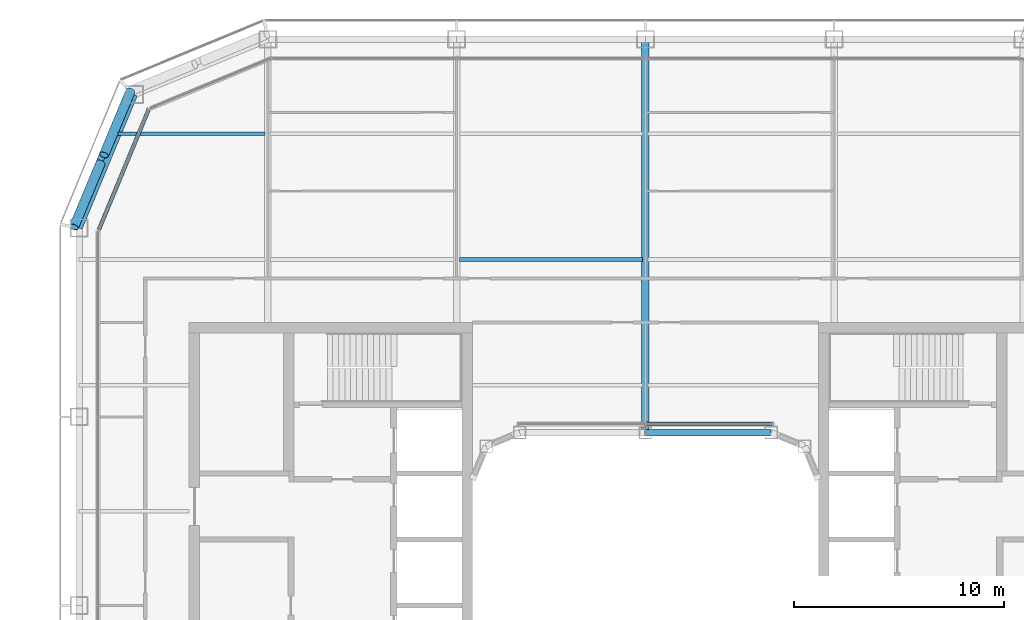
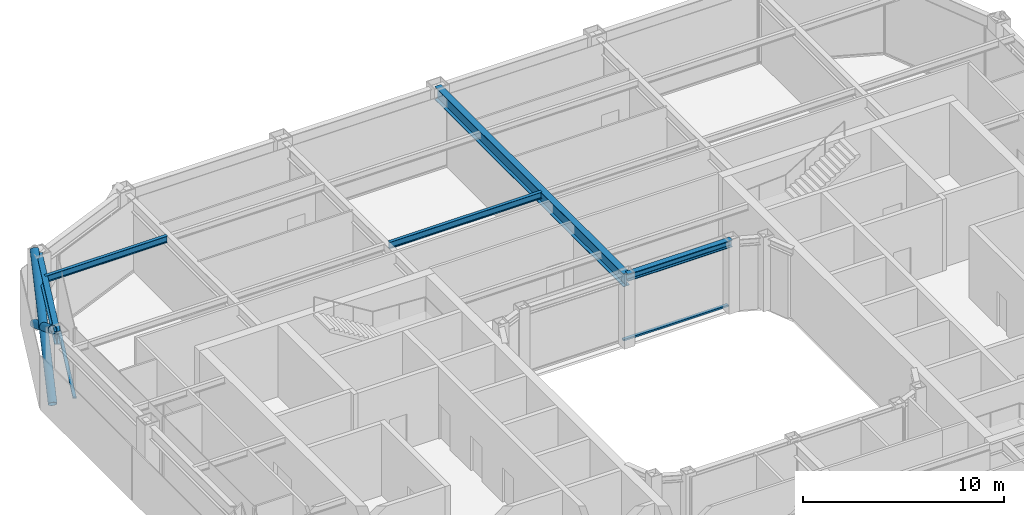
# One storey, part 7 of 23: 5 beams, 5 members, 2 elements without a shape of their own.
"""IFC4 building model written with IfcOpenShell, lengths in metres."""

from ifc_helpers import new_model, si_unit, direction, frame, origin, origin_2d, place, context, subcontext, project, spatial, rectangle, hollow_circle, i_section, extrude, material, layer, layer_set, material_profile, profile_set, type_object, element, aggregate, save


model = new_model("IFC4")

# Units and contexts
model_context = context("Model", 3, precision=1e-05, world=origin(), true_north=direction((0.0, 1.0)))
body_context = subcontext(model_context, "Body", "Model", "MODEL_VIEW")
ifc_project = project(units=[si_unit("LENGTHUNIT", "METRE"), si_unit("AREAUNIT", "SQUARE_METRE"), si_unit("VOLUMEUNIT", "CUBIC_METRE"), si_unit("PLANEANGLEUNIT", "RADIAN"), si_unit("MASSUNIT", "GRAM", prefix="KILO")], contexts=[model_context])

# Site, building, storey
site_placement = place(None, origin())
site = spatial("IfcSite", under=ifc_project, at=site_placement, CompositionType="ELEMENT")
building_placement = place(site_placement, origin())
building = spatial("IfcBuilding", under=site, at=building_placement, Name="Siwar Civic Tower", CompositionType="ELEMENT")
storey_placement = place(building_placement, frame((0.0, 0.0, 233.199951171875)))
storey = spatial("IfcBuildingStorey", under=building, at=storey_placement, Name="L50", CompositionType="ELEMENT", Elevation=233.199951171875)

# Curtain wall, member
ifc_material_1 = material(Name="Aluminium clad insulated panel", Category="aluminium")
ifc_layer_1 = layer(ifc_material_1, 0.179931640625)
ifc_layer_set_1 = layer_set([ifc_layer_1], Name="Aluminium clad insulated panel")
curtain_wall_type_1 = type_object("IfcCurtainWallType", Name="ENV-CW-CX", PredefinedType="NOTDEFINED", material=ifc_layer_set_1)
curtain_wall_1_placement = place(storey_placement, origin())
curtain_wall_1 = element("IfcCurtainWall", 1, at=curtain_wall_1_placement, inside=storey, type_object=curtain_wall_type_1, Name="Curtain wall C NW2", PredefinedType="NOTDEFINED")
ifc_material_2 = material(Name="Aluminium 6063-T6", Category="aluminium")
ifc_material_profile_1 = material_profile(ifc_material_2, rectangle(XDim=0.179931640625, YDim=0.10009765625, at=origin_2d()), Name="AL 180x100")
ifc_profile_set_1 = profile_set([ifc_material_profile_1], Name="Aluminium 6063-T6")
member_type_1 = type_object("IfcMemberType", Name="ENV-TRANSOM-C", PredefinedType="USERDEFINED", material=ifc_profile_set_1)
member_1_placement = place(storey_placement, frame((-23.6865234375, 23.6474609375, 0.050048828125), z_axis=(-0.382691366456, -0.923876246063, 0.0), x_axis=(0.923876246063, -0.382691366456, 0.0)))
member_1 = element("IfcMember", 2, at=member_1_placement, type_object=member_type_1, Name="Transom C NW2 1", ObjectType="TRANSOM", PredefinedType="USERDEFINED", context=body_context, shape_type="SweptSolid", body=[
    extrude(rectangle(XDim=0.179931640625, YDim=0.10009765625, at=origin_2d()), origin(), (0.0, 0.0, 1.0), 6.20166015625),
])
aggregate(curtain_wall_1, [member_1])

ifc_material_3 = material(Name="Aluminium and glass", Category="aluminium")
ifc_layer_2 = layer(ifc_material_3, 0.179931640625)
ifc_layer_set_2 = layer_set([ifc_layer_2], Name="Aluminium and glass")
curtain_wall_type_2 = type_object("IfcCurtainWallType", Name="ENV-CW-W", PredefinedType="NOTDEFINED", material=ifc_layer_set_2)
curtain_wall_2_placement = place(storey_placement, origin())
curtain_wall_2 = element("IfcCurtainWall", 3, at=curtain_wall_2_placement, inside=storey, type_object=curtain_wall_type_2, Name="Curtain wall W WN", PredefinedType="NOTDEFINED")
ifc_material_4 = material(Name="Aluminium 6063-T6", Category="aluminium")
ifc_material_profile_2 = material_profile(ifc_material_4, rectangle(XDim=0.179931640625, YDim=0.10009765625, at=origin_2d()), Name="AL 180x100")
ifc_profile_set_2 = profile_set([ifc_material_profile_2], Name="Aluminium 6063-T6")
member_type_2 = type_object("IfcMemberType", Name="ENV-TRANSOM-W", PredefinedType="USERDEFINED", material=ifc_profile_set_2)
member_2_placement = place(storey_placement, frame((6.051513671875, 8.659912109375, 0.050048828125), z_axis=(-1.0, 0.0, 0.0), x_axis=(0.0, -1.0, 0.0)))
member_2 = element("IfcMember", 4, at=member_2_placement, type_object=member_type_2, Name="Transom W WN 1", ObjectType="TRANSOM", PredefinedType="USERDEFINED", context=body_context, shape_type="SweptSolid", body=[
    extrude(rectangle(XDim=0.179931640625, YDim=0.10009765625, at=origin_2d()), origin(), (0.0, 0.0, 1.0), 6.021484375),
])
aggregate(curtain_wall_2, [member_2])

# Members
ifc_material_5 = material(Name="Steel S355", Category="steel")
ifc_material_profile_3 = material_profile(ifc_material_5, hollow_circle(Radius=0.228515625, WallThickness=0.02001953125, at=origin_2d()), Name="CHS457x20")
ifc_profile_set_3 = profile_set([ifc_material_profile_3], Name="Steel S355")
member_type_3 = type_object("IfcMemberType", Name="STR-BR-CHS457x20", PredefinedType="BRACE", material=ifc_profile_set_3)
member_3_placement = place(storey_placement, frame((-27.2451171875, 18.048828125, 0.0), z_axis=(0.323905527954, 0.777554562952, 0.538975055633), x_axis=(-0.923108759191, 0.384538969033, 0.0)))
element("IfcMember", 5, at=member_3_placement, inside=storey, type_object=member_type_3, Name="L50/brc/CNW1-10-0-1", PredefinedType="BRACE", context=body_context, shape_type="SweptSolid", body=[
    extrude(hollow_circle(Radius=0.228515625, WallThickness=0.02001953125, at=origin_2d()), origin(), (0.0, 0.0, 1.0), 8.34912109375),
])
for number, where, z_axis, x_axis, name in (
    (6, (-24.540771484375, 24.540771484375, 0.0), (-0.323884455881, -0.777546448489, 0.538999424564), (0.92311621485, -0.38452107079, 0.0), "L50/brc/CNW1-10-0-2"),
    (7, (-25.972900390625, 21.10302734375, 2.383056640625), (-0.323895306243, -0.777572496853, 0.538955325357), (0.92311621485, -0.38452107079, 0.0), "L50/brc/CNW1-10-0-3"),
):
    element("IfcMember", number, at=place(storey_placement, frame(where, z_axis=z_axis, x_axis=x_axis)), inside=storey, type_object=member_type_3, Name=name, PredefinedType="BRACE", context=body_context, shape_type="SweptSolid", body=[
        extrude(hollow_circle(Radius=0.228515625, WallThickness=0.02001953125, at=origin_2d()), origin(), (0.0, 0.0, 1.0), 3.927978515625),
    ])

# Beams
ifc_material_6 = material(Name="Steel S355", Category="steel")
ifc_material_profile_4 = material_profile(ifc_material_6, i_section(OverallWidth=0.179931640625, OverallDepth=0.39990234375, WebThickness=0.008544921875, FlangeThickness=0.013427734375, FilletRadius=0.02099609375, at=origin_2d()), Name="IPE400")
ifc_profile_set_4 = profile_set([ifc_material_profile_4], Name="Steel S355")
beam_type_1 = type_object("IfcBeamType", Name="STR-FB-IPE400", PredefinedType="JOIST", material=ifc_profile_set_4)
beam_1_placement = place(storey_placement, frame((-8.8701171875, 16.5, 4.150146484375), z_axis=(1.0, 0.0, 0.0), x_axis=(0.0, 1.0, 0.0)))
element("IfcBeam", 8, at=beam_1_placement, inside=storey, type_object=beam_type_1, Name="L50/bm/F033", PredefinedType="JOIST", context=body_context, shape_type="SweptSolid", body=[
    extrude(i_section(OverallWidth=0.179931640625, OverallDepth=0.39990234375, WebThickness=0.008544921875, FlangeThickness=0.013427734375, FilletRadius=0.02099609375, at=origin_2d()), origin(), (0.0, 0.0, 1.0), 8.740234375),
])
beam_2_placement = place(storey_placement, frame((-25.135986328125, 22.5, 4.150146484375), z_axis=(1.0, 0.0, 0.0), x_axis=(0.0, 1.0, 0.0)))
element("IfcBeam", 9, at=beam_2_placement, inside=storey, type_object=beam_type_1, Name="L50/bm/F037", PredefinedType="JOIST", context=body_context, shape_type="SweptSolid", body=[
    extrude(i_section(OverallWidth=0.179931640625, OverallDepth=0.39990234375, WebThickness=0.008544921875, FlangeThickness=0.013427734375, FilletRadius=0.02099609375, at=origin_2d()), origin(), (0.0, 0.0, 1.0), 7.006103515625),
])
ifc_material_7 = material(Name="Steel S355", Category="steel")
ifc_material_profile_5 = material_profile(ifc_material_7, i_section(OverallWidth=0.360107421875, OverallDepth=0.800048828125, WebThickness=0.013916015625, FlangeThickness=0.031982421875, at=origin_2d()), Name="PG800x360x14x32")
ifc_profile_set_5 = profile_set([ifc_material_profile_5], Name="Steel S355")
beam_type_2 = type_object("IfcBeamType", Name="STR-PG-PG800x360x14x32", PredefinedType="BEAM", material=ifc_profile_set_5)
beam_3_placement = place(storey_placement, frame((0.0, 8.25, 3.949951171875), z_axis=(0.0, 1.0, 0.0), x_axis=(-1.0, 0.0, 0.0)))
element("IfcBeam", 10, at=beam_3_placement, inside=storey, type_object=beam_type_2, Name="L50/bm/G06", PredefinedType="BEAM", context=body_context, shape_type="SweptSolid", body=[
    extrude(i_section(OverallWidth=0.360107421875, OverallDepth=0.800048828125, WebThickness=0.013916015625, FlangeThickness=0.031982421875, at=origin_2d()), origin(), (0.0, 0.0, 1.0), 18.75),
])
ifc_material_8 = material(Name="Steel S355", Category="steel")
ifc_material_profile_6 = material_profile(ifc_material_8, i_section(OverallWidth=0.306884765625, OverallDepth=0.431884765625, WebThickness=0.02099609375, FlangeThickness=0.0400390625, FilletRadius=0.027099609375, at=origin_2d()), Name="HEM400")
ifc_profile_set_6 = profile_set([ifc_material_profile_6], Name="Steel S355")
beam_type_3 = type_object("IfcBeamType", Name="STR-RB-HEM400", PredefinedType="BEAM", material=ifc_profile_set_6)
beam_4_placement = place(storey_placement, frame((0.0, 8.25, 4.134033203125), z_axis=(1.0, 0.0, 0.0), x_axis=(0.0, 1.0, 0.0)))
element("IfcBeam", 11, at=beam_4_placement, inside=storey, type_object=beam_type_3, Name="L50/bm/RN2", PredefinedType="BEAM", context=body_context, shape_type="SweptSolid", body=[
    extrude(i_section(OverallWidth=0.306884765625, OverallDepth=0.431884765625, WebThickness=0.02099609375, FlangeThickness=0.0400390625, FilletRadius=0.027099609375, at=origin_2d()), origin(), (0.0, 0.0, 1.0), 6.0),
])
ifc_material_9 = material(Name="Steel S355", Category="steel")
ifc_material_profile_7 = material_profile(ifc_material_9, i_section(OverallWidth=0.300048828125, OverallDepth=0.800048828125, WebThickness=0.017578125, FlangeThickness=0.032958984375, FilletRadius=0.030029296875, at=origin_2d()), Name="HEB800")
ifc_profile_set_7 = profile_set([ifc_material_profile_7], Name="Steel S355")
beam_type_4 = type_object("IfcBeamType", Name="STR-SB-HEB800", PredefinedType="BEAM", material=ifc_profile_set_7)
beam_5_placement = place(storey_placement, frame((-24.364013671875, 24.364013671875, 3.949951171875), z_axis=(-0.382674207535, -0.923883353507, 0.0), x_axis=(0.923883353507, -0.382674207535, 0.0)))
element("IfcBeam", 12, at=beam_5_placement, inside=storey, type_object=beam_type_4, Name="L50/bm/SNW2-0", PredefinedType="BEAM", context=body_context, shape_type="SweptSolid", body=[
    extrude(i_section(OverallWidth=0.300048828125, OverallDepth=0.800048828125, WebThickness=0.017578125, FlangeThickness=0.032958984375, FilletRadius=0.030029296875, at=origin_2d()), origin(), (0.0, 0.0, 1.0), 6.888427734375),
])

save(model, "model.ifc")
